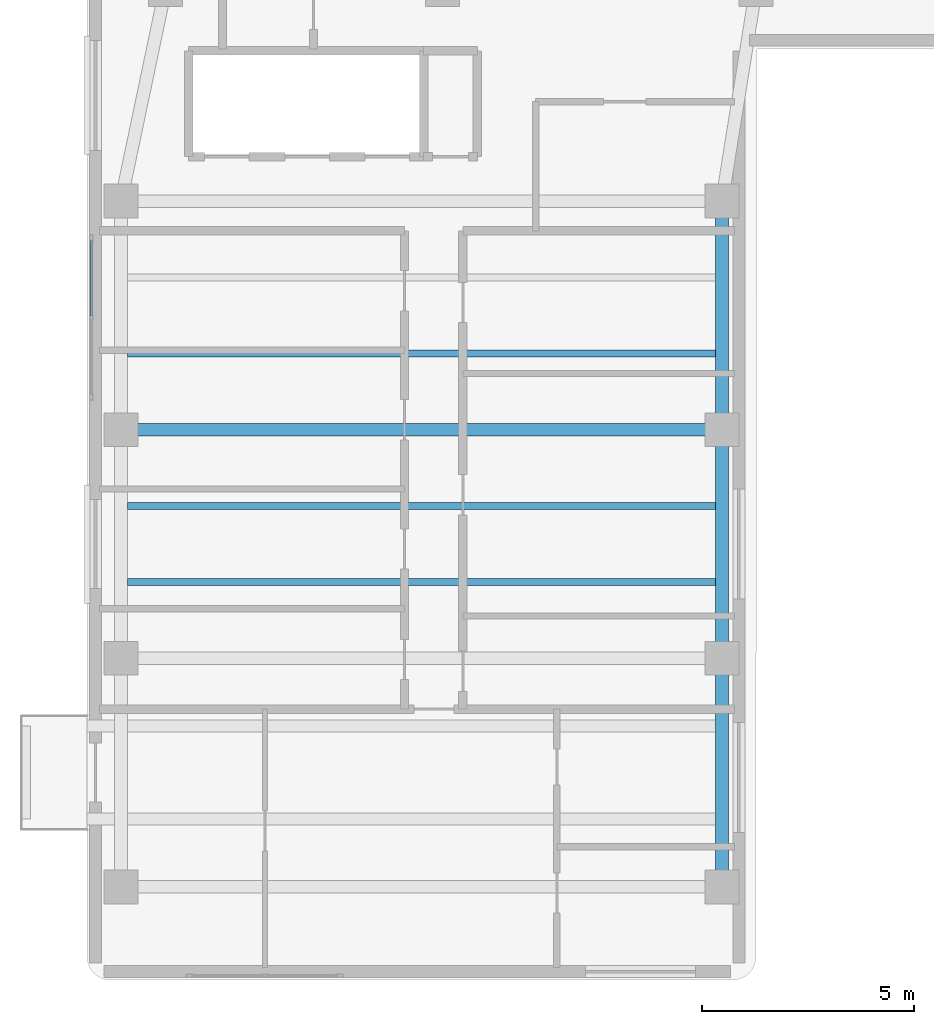
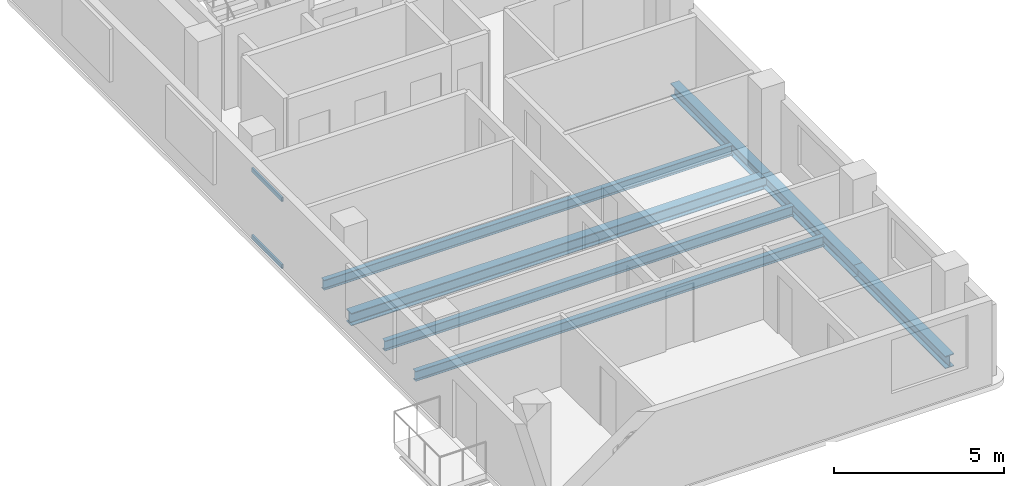
# One storey, part 5 of 11: 7 beams, 2 members, 1 element without a shape of its own.
"""IFC4 building model written with IfcOpenShell, lengths in metres."""

from ifc_helpers import new_model, si_unit, direction, frame, origin, origin_2d, place, context, subcontext, project, spatial, hollow_rectangle, i_section, extrude, material, material_profile, profile_set, type_object, element, aggregate, save


model = new_model("IFC4")

# Units and contexts
model_context = context("Model", 3, precision=1e-05, world=origin(), true_north=direction((0.0, 1.0)))
body_context = subcontext(model_context, "Body", "Model", "MODEL_VIEW")
ifc_project = project(units=[si_unit("LENGTHUNIT", "METRE"), si_unit("AREAUNIT", "SQUARE_METRE"), si_unit("VOLUMEUNIT", "CUBIC_METRE"), si_unit("PLANEANGLEUNIT", "RADIAN"), si_unit("MASSUNIT", "GRAM", prefix="KILO")], contexts=[model_context])

# Site, building, storey
site_placement = place(None, origin())
site = spatial("IfcSite", under=ifc_project, at=site_placement, CompositionType="ELEMENT")
building_placement = place(site_placement, origin())
building = spatial("IfcBuilding", under=site, at=building_placement, Name="Kuzgunbayir Cultural Tower", CompositionType="ELEMENT")
storey_placement = place(building_placement, frame((0.0, 0.0, 237.60009765625)))
storey = spatial("IfcBuildingStorey", under=building, at=storey_placement, Name="L70", CompositionType="ELEMENT", Elevation=237.60009765625)

# Beams
ifc_material_1 = material(Name="Steel S355J2", Category="steel")
ifc_material_profile_1 = material_profile(ifc_material_1, i_section(OverallWidth=0.300048828125, OverallDepth=0.449951171875, WebThickness=0.013916015625, FlangeThickness=0.02587890625, FilletRadius=0.027099609375, at=origin_2d()), Name="HEB 450")
ifc_profile_set_1 = profile_set([ifc_material_profile_1], Name="Steel S355J2")
beam_type_1 = type_object("IfcBeamType", Name="BM-EXT-HEB450", PredefinedType="BEAM", material=ifc_profile_set_1)
for number, where, z_axis, x_axis, name in (
    (1, (19.60009765625, 12.60009765625, -0.41015625), (0.0, 1.0, 0.0), (-1.0, 0.0, 0.0), "L70 Wing A East Girder 1"),
    (2, (19.60009765625, 18.0, -0.41015625), (0.0, 1.0, 0.0), (-1.0, 0.0, 0.0), "L70 Wing A East Girder 2"),
):
    element("IfcBeam", number, at=place(storey_placement, frame(where, z_axis=z_axis, x_axis=x_axis)), inside=storey, type_object=beam_type_1, Name=name, PredefinedType="BEAM", context=body_context, shape_type="SweptSolid", body=[
        extrude(i_section(OverallWidth=0.300048828125, OverallDepth=0.449951171875, WebThickness=0.013916015625, FlangeThickness=0.02587890625, FilletRadius=0.027099609375, at=origin_2d()), origin(), (0.0, 0.0, 1.0), 5.39990234375),
    ])
beam_1_placement = place(storey_placement, frame((19.60009765625, 23.39990234375, -0.41015625), z_axis=(0.0, 1.0, 0.0), x_axis=(-1.0, 0.0, 0.0)))
element("IfcBeam", 3, at=beam_1_placement, inside=storey, type_object=beam_type_1, Name="L70 Wing A East Girder 3", PredefinedType="BEAM", context=body_context, shape_type="SweptSolid", body=[
    extrude(i_section(OverallWidth=0.300048828125, OverallDepth=0.449951171875, WebThickness=0.013916015625, FlangeThickness=0.02587890625, FilletRadius=0.027099609375, at=origin_2d()), origin(), (0.0, 0.0, 1.0), 5.400146484375),
])
ifc_material_profile_2 = material_profile(ifc_material_1, i_section(OverallWidth=0.300048828125, OverallDepth=0.449951171875, WebThickness=0.013916015625, FlangeThickness=0.02587890625, FilletRadius=0.027099609375, at=origin_2d()), Name="HEB 450")
ifc_profile_set_2 = profile_set([ifc_material_profile_2], Name="Steel S355J2")
beam_type_2 = type_object("IfcBeamType", Name="BM-GIR-HEB450", PredefinedType="BEAM", material=ifc_profile_set_2)
beam_2_placement = place(storey_placement, frame((5.39990234375, 23.39990234375, -0.41015625), z_axis=(1.0, 0.0, 0.0), x_axis=(0.0, 1.0, 0.0)))
element("IfcBeam", 4, at=beam_2_placement, inside=storey, type_object=beam_type_2, Name="L70 Wing A Transverse Girder 3", PredefinedType="BEAM", context=body_context, shape_type="SweptSolid", body=[
    extrude(i_section(OverallWidth=0.300048828125, OverallDepth=0.449951171875, WebThickness=0.013916015625, FlangeThickness=0.02587890625, FilletRadius=0.027099609375, at=origin_2d()), origin(), (0.0, 0.0, 1.0), 14.2001953125),
])
ifc_material_profile_3 = material_profile(ifc_material_1, i_section(OverallWidth=0.169921875, OverallDepth=0.360107421875, WebThickness=0.008056640625, FlangeThickness=0.0126953125, FilletRadius=0.01806640625, at=origin_2d()), Name="IPE 360")
ifc_profile_set_3 = profile_set([ifc_material_profile_3], Name="Steel S355J2")
beam_type_3 = type_object("IfcBeamType", Name="BM-JST-IPE360", PredefinedType="JOIST", material=ifc_profile_set_3)
for number, where, z_axis, x_axis, name in (
    (5, (5.550048828125, 19.800048828125, -0.360107421875), (1.0, 0.0, 0.0), (0.0, 1.0, 0.0), "L70 Wing A Secondary Joist 3"),
    (6, (5.550048828125, 21.60009765625, -0.360107421875), (1.0, 0.0, 0.0), (0.0, 1.0, 0.0), "L70 Wing A Secondary Joist 4"),
    (7, (5.550048828125, 25.199951171875, -0.360107421875), (1.0, 0.0, 0.0), (0.0, 1.0, 0.0), "L70 Wing A Secondary Joist 5"),
):
    element("IfcBeam", number, at=place(storey_placement, frame(where, z_axis=z_axis, x_axis=x_axis)), inside=storey, type_object=beam_type_3, Name=name, PredefinedType="JOIST", context=body_context, shape_type="SweptSolid", body=[
        extrude(i_section(OverallWidth=0.169921875, OverallDepth=0.360107421875, WebThickness=0.008056640625, FlangeThickness=0.0126953125, FilletRadius=0.01806640625, at=origin_2d()), origin(), (0.0, 0.0, 1.0), 13.89990234375),
    ])

# Curtain wall, members
ifc_material_2 = material(Name="Anodised Aluminium Framing", Category="aluminium")
curtain_wall_type = type_object("IfcCurtainWallType", Name="CW06-OBSERVATORY", PredefinedType="NOTDEFINED", material=ifc_material_2)
curtain_wall_placement = place(storey_placement, origin())
curtain_wall = element("IfcCurtainWall", 8, at=curtain_wall_placement, inside=storey, type_object=curtain_wall_type, Name="L70 Crown Observatory West Curtain Wall", PredefinedType="NOTDEFINED")
ifc_material_profile_4 = material_profile(ifc_material_2, hollow_rectangle(XDim=0.06005859375, YDim=0.14990234375, WallThickness=0.00390625, at=origin_2d()), Name="RHS 150x60x4")
ifc_profile_set_4 = profile_set([ifc_material_profile_4], Name="Anodised Aluminium Framing")
member_type = type_object("IfcMemberType", Name="MEM-CW-TRANSOM-150", PredefinedType="USERDEFINED", material=ifc_profile_set_4)
member_1_placement = place(storey_placement, frame((4.699951171875, 26.08740234375, 0.02978515625), z_axis=(0.0, 1.0, 0.0), x_axis=(-1.0, 0.0, 0.0)))
member_1 = element("IfcMember", 9, at=member_1_placement, type_object=member_type, Name="CW06 transom 2.1", ObjectType="TRANSOM", PredefinedType="USERDEFINED", context=body_context, shape_type="SweptSolid", body=[
    extrude(hollow_rectangle(XDim=0.06005859375, YDim=0.14990234375, WallThickness=0.00390625, at=origin_2d()), origin(), (0.0, 0.0, 1.0), 1.78759765625),
])
member_2_placement = place(storey_placement, frame((4.699951171875, 26.08740234375, 2.43994140625), z_axis=(0.0, 1.0, 0.0), x_axis=(-1.0, 0.0, 0.0)))
member_2 = element("IfcMember", 10, at=member_2_placement, type_object=member_type, Name="CW06 transom 2.2", ObjectType="TRANSOM", PredefinedType="USERDEFINED", context=body_context, shape_type="SweptSolid", body=[
    extrude(hollow_rectangle(XDim=0.06005859375, YDim=0.14990234375, WallThickness=0.00390625, at=origin_2d()), origin(), (0.0, 0.0, 1.0), 1.78759765625),
])
aggregate(curtain_wall, [member_1, member_2])

save(model, "model.ifc")
